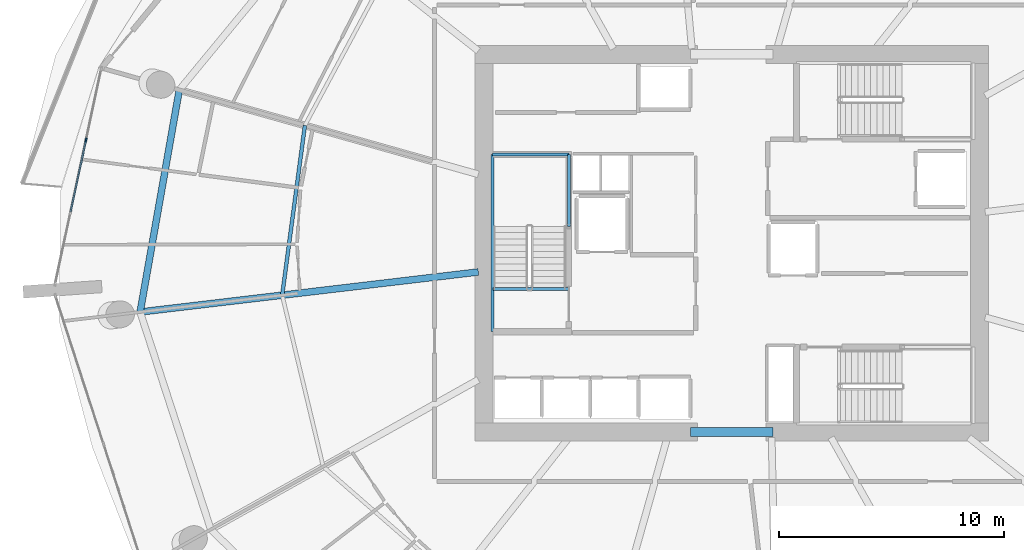
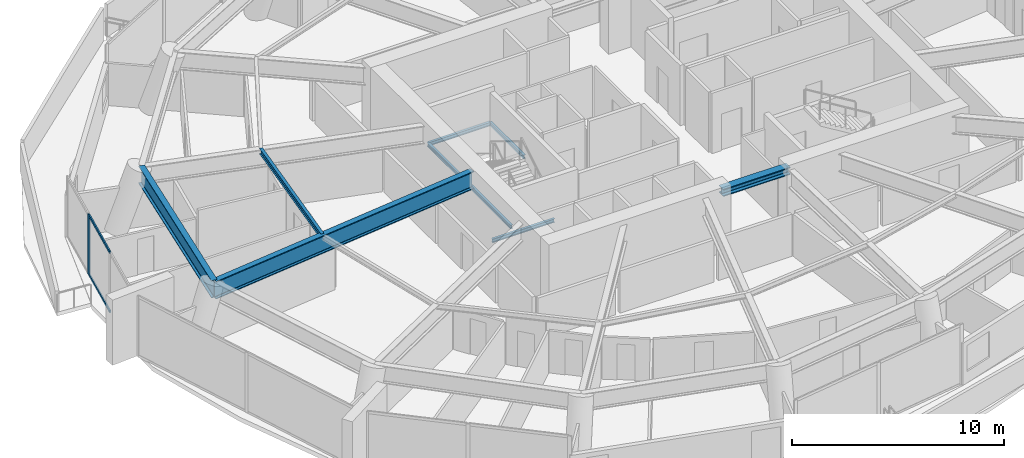
# One storey, part 6 of 23: 8 beams, 3 members, 1 element without a shape of its own.
"""IFC4 building model written with IfcOpenShell, lengths in metres."""

from ifc_helpers import new_model, si_unit, direction, frame, origin, origin_2d, place, context, subcontext, project, spatial, rectangle, i_section, extrude, material, layer, layer_set, material_profile, profile_set, type_object, element, aggregate, save


model = new_model("IFC4")

# Units and contexts
model_context = context("Model", 3, precision=1e-05, world=origin(), true_north=direction((0.0, 1.0)))
body_context = subcontext(model_context, "Body", "Model", "MODEL_VIEW")
ifc_project = project(units=[si_unit("LENGTHUNIT", "METRE"), si_unit("AREAUNIT", "SQUARE_METRE"), si_unit("VOLUMEUNIT", "CUBIC_METRE"), si_unit("PLANEANGLEUNIT", "RADIAN"), si_unit("MASSUNIT", "GRAM", prefix="KILO")], contexts=[model_context])

# Site, building, storey
site_placement = place(None, origin())
site = spatial("IfcSite", under=ifc_project, at=site_placement, CompositionType="ELEMENT")
building_placement = place(site_placement, origin())
building = spatial("IfcBuilding", under=site, at=building_placement, Name="Kazma Halo Residences", CompositionType="ELEMENT")
storey_placement = place(building_placement, frame((0.0, 0.0, 112.64990234375)))
storey = spatial("IfcBuildingStorey", under=building, at=storey_placement, Name="L28", CompositionType="ELEMENT", Elevation=112.64990234375)

# Beams
ifc_material_1 = material(Name="Steel S355", Category="steel")
ifc_material_profile_1 = material_profile(ifc_material_1, i_section(OverallWidth=0.408935546875, OverallDepth=0.425048828125, WebThickness=0.03271484375, FlangeThickness=0.052490234375, FilletRadius=0.02001953125, at=origin_2d()), Name="W360x421")
ifc_profile_set_1 = profile_set([ifc_material_profile_1], Name="Steel S355")
beam_type_1 = type_object("IfcBeamType", Name="BM-CORE-W360H", PredefinedType="BEAM", material=ifc_profile_set_1)
beam_1_placement = place(storey_placement, frame((46.60009765625, 33.60009765625, 3.257568359375), z_axis=(1.0, 0.0, 0.0), x_axis=(0.0, 1.0, 0.0)))
element("IfcBeam", 1, at=beam_1_placement, inside=storey, type_object=beam_type_1, Name="L28 core coupling beam S", PredefinedType="BEAM", context=body_context, shape_type="SweptSolid", body=[
    extrude(i_section(OverallWidth=0.408935546875, OverallDepth=0.425048828125, WebThickness=0.03271484375, FlangeThickness=0.052490234375, FilletRadius=0.02001953125, at=origin_2d()), origin(), (0.0, 0.0, 1.0), 3.64990234375),
])
ifc_material_profile_2 = material_profile(ifc_material_1, i_section(OverallWidth=0.1650390625, OverallDepth=0.31005859375, WebThickness=0.005859375, FlangeThickness=0.009765625, FilletRadius=0.011962890625, at=origin_2d()), Name="W310x38.7")
ifc_profile_set_2 = profile_set([ifc_material_profile_2], Name="Steel S355")
beam_type_2 = type_object("IfcBeamType", Name="BM-SEC-W310B", PredefinedType="JOIST", material=ifc_profile_set_2)
beam_2_placement = place(storey_placement, frame((29.432861328125, 47.236328125, 3.315185546875), z_axis=(-0.132566612337, -0.991174098377, 0.0), x_axis=(0.991174098377, -0.132566612337, 0.0)))
element("IfcBeam", 2, at=beam_2_placement, inside=storey, type_object=beam_type_2, Name="L28 circumferential floor joist 07", PredefinedType="JOIST", context=body_context, shape_type="SweptSolid", body=[
    extrude(i_section(OverallWidth=0.1650390625, OverallDepth=0.31005859375, WebThickness=0.005859375, FlangeThickness=0.009765625, FilletRadius=0.011962890625, at=origin_2d()), origin(), (0.0, 0.0, 1.0), 7.62060546875),
])
ifc_material_profile_3 = material_profile(ifc_material_1, i_section(OverallWidth=0.302001953125, OverallDepth=1.01806640625, WebThickness=0.021484375, FlangeThickness=0.049072265625, FilletRadius=0.028076171875, at=origin_2d()), Name="W1000x443")
ifc_profile_set_3 = profile_set([ifc_material_profile_3], Name="Steel S355")
beam_type_3 = type_object("IfcBeamType", Name="BM-TRANS-W1000A", PredefinedType="BEAM", material=ifc_profile_set_3)
beam_3_placement = place(storey_placement, frame((37.14990234375, 40.7158203125, 2.961181640625), z_axis=(-0.993067979746, -0.117541429303, 0.0), x_axis=(0.117541429303, -0.993067979746, 0.0)))
element("IfcBeam", 3, at=beam_3_placement, inside=storey, type_object=beam_type_3, Name="L28 podium radial transfer girder 08", PredefinedType="BEAM", context=body_context, shape_type="SweptSolid", body=[
    extrude(i_section(OverallWidth=0.302001953125, OverallDepth=1.01806640625, WebThickness=0.021484375, FlangeThickness=0.049072265625, FilletRadius=0.028076171875, at=origin_2d()), origin(), (0.0, 0.0, 1.0), 15.152099609375),
])
ifc_material_profile_4 = material_profile(ifc_material_1, i_section(OverallWidth=0.300048828125, OverallDepth=1.0, WebThickness=0.01904296875, FlangeThickness=0.0400390625, FilletRadius=0.02587890625, at=origin_2d()), Name="W1000x371")
ifc_profile_set_4 = profile_set([ifc_material_profile_4], Name="Steel S355")
beam_type_4 = type_object("IfcBeamType", Name="BM-TRANS-W1000B", PredefinedType="BEAM", material=ifc_profile_set_4)
beam_4_placement = place(storey_placement, frame((23.844482421875, 48.8125, 2.97021484375), z_axis=(-0.1736478634, -0.984807808426, 0.0), x_axis=(0.984807808426, -0.1736478634, 0.0)))
element("IfcBeam", 4, at=beam_4_placement, inside=storey, type_object=beam_type_4, Name="L28 perimeter ring beam 07", PredefinedType="BEAM", context=body_context, shape_type="SweptSolid", body=[
    extrude(i_section(OverallWidth=0.300048828125, OverallDepth=1.0, WebThickness=0.01904296875, FlangeThickness=0.0400390625, FilletRadius=0.02587890625, at=origin_2d()), origin(), (0.0, 0.0, 1.0), 10.030029296875),
])
ifc_material_profile_5 = material_profile(ifc_material_1, i_section(OverallWidth=0.133056640625, OverallDepth=0.20703125, WebThickness=0.005859375, FlangeThickness=0.00830078125, FilletRadius=0.010009765625, at=origin_2d()), Name="W200x26.6")
ifc_profile_set_5 = profile_set([ifc_material_profile_5], Name="Steel S355")
beam_type_5 = type_object("IfcBeamType", Name="BM-TRIM-W200", PredefinedType="BEAM", material=ifc_profile_set_5)
beam_5_placement = place(storey_placement, frame((37.800048828125, 39.949951171875, -0.35986328125), z_axis=(1.0, 0.0, 0.0), x_axis=(0.0, 1.0, 0.0)))
element("IfcBeam", 5, at=beam_5_placement, inside=storey, type_object=beam_type_5, Name="L28 ST-01 floor landing support beam", PredefinedType="BEAM", context=body_context, shape_type="SweptSolid", body=[
    extrude(i_section(OverallWidth=0.133056640625, OverallDepth=0.20703125, WebThickness=0.005859375, FlangeThickness=0.00830078125, FilletRadius=0.010009765625, at=origin_2d()), origin(), (0.0, 0.0, 1.0), 3.3798828125),
])
beam_6_placement = place(storey_placement, frame((37.780029296875, 38.06005859375, 1.570068359375), z_axis=(0.0, 1.0, 0.0), x_axis=(-1.0, 0.0, 0.0)))
element("IfcBeam", 6, at=beam_6_placement, inside=storey, type_object=beam_type_5, Name="L28 ST-01 landing west wall ledger", PredefinedType="BEAM", context=body_context, shape_type="SweptSolid", body=[
    extrude(i_section(OverallWidth=0.133056640625, OverallDepth=0.20703125, WebThickness=0.005859375, FlangeThickness=0.00830078125, FilletRadius=0.010009765625, at=origin_2d()), origin(), (0.0, 0.0, 1.0), 7.8798828125),
])
beam_7_placement = place(storey_placement, frame((41.179931640625, 42.75, 1.570068359375), z_axis=(0.0, 1.0, 0.0), x_axis=(-1.0, 0.0, 0.0)))
element("IfcBeam", 7, at=beam_7_placement, inside=storey, type_object=beam_type_5, Name="L28 ST-01 landing east wall ledger", PredefinedType="BEAM", context=body_context, shape_type="SweptSolid", body=[
    extrude(i_section(OverallWidth=0.133056640625, OverallDepth=0.20703125, WebThickness=0.005859375, FlangeThickness=0.00830078125, FilletRadius=0.010009765625, at=origin_2d()), origin(), (0.0, 0.0, 1.0), 3.18994140625),
])
beam_8_placement = place(storey_placement, frame((37.780029296875, 45.93994140625, 1.570068359375), z_axis=(1.0, 0.0, 0.0), x_axis=(0.0, 1.0, 0.0)))
element("IfcBeam", 8, at=beam_8_placement, inside=storey, type_object=beam_type_5, Name="L28 ST-01 landing end wall ledger", PredefinedType="BEAM", context=body_context, shape_type="SweptSolid", body=[
    extrude(i_section(OverallWidth=0.133056640625, OverallDepth=0.20703125, WebThickness=0.005859375, FlangeThickness=0.00830078125, FilletRadius=0.010009765625, at=origin_2d()), origin(), (0.0, 0.0, 1.0), 3.39990234375),
])

# Curtain wall, members
ifc_material_2 = material(Name="Aluminium AW-6063 T6 and Triple-Silver Low-E Glass", Category="aluminium")
ifc_layer = layer(ifc_material_2, 0.199951171875)
ifc_layer_set = layer_set([ifc_layer], Name="Aluminium AW-6063 T6 and Triple-Silver Low-E Glass")
curtain_wall_type = type_object("IfcCurtainWallType", Name="CW-SYS-3", PredefinedType="NOTDEFINED", material=ifc_layer_set)
curtain_wall_placement = place(storey_placement, origin())
curtain_wall = element("IfcCurtainWall", 9, at=curtain_wall_placement, inside=storey, type_object=curtain_wall_type, Name="L28 unitised curtain wall B07", PredefinedType="NOTDEFINED")
ifc_material_3 = material(Name="Aluminium AW-6063 T6", Category="aluminium")
ifc_material_profile_6 = material_profile(ifc_material_3, rectangle(XDim=0.070068359375, YDim=0.199951171875, at=origin_2d()), Name="CWM-70x200")
ifc_profile_set_6 = profile_set([ifc_material_profile_6], Name="Aluminium AW-6063 T6")
member_type_1 = type_object("IfcMemberType", Name="CW-SYS-3-MUL", PredefinedType="MULLION", material=ifc_profile_set_6)
member_1_placement = place(storey_placement, frame((19.69287109375, 46.5791015625, 0.0), z_axis=(0.0, 0.0, 1.0), x_axis=(0.977774176093, -0.209660822677, 0.0)))
member_1 = element("IfcMember", 10, at=member_1_placement, type_object=member_type_1, Name="CWS-3 mullion 2", PredefinedType="MULLION", context=body_context, shape_type="SweptSolid", body=[
    extrude(rectangle(XDim=0.070068359375, YDim=0.199951171875, at=origin_2d()), origin(), (0.0, 0.0, 1.0), 3.47021484375),
])
ifc_material_profile_7 = material_profile(ifc_material_3, rectangle(XDim=0.070068359375, YDim=0.14990234375, at=origin_2d()), Name="CWT-70x150")
ifc_profile_set_7 = profile_set([ifc_material_profile_7], Name="Aluminium AW-6063 T6")
member_type_2 = type_object("IfcMemberType", Name="CW-SYS-3-TRN", PredefinedType="USERDEFINED", material=ifc_profile_set_7)
member_2_placement = place(storey_placement, frame((19.685546875, 46.544921875, 0.03515625), z_axis=(-0.209627675811, -0.977781283076, 0.0), x_axis=(0.977781283076, -0.209627675811, 0.0)))
member_2 = element("IfcMember", 11, at=member_2_placement, type_object=member_type_2, Name="CWS-3 transom 2.1", ObjectType="TRANSOM", PredefinedType="USERDEFINED", context=body_context, shape_type="SweptSolid", body=[
    extrude(rectangle(XDim=0.070068359375, YDim=0.14990234375, at=origin_2d()), origin(), (0.0, 0.0, 1.0), 3.213134765625),
])
member_3_placement = place(storey_placement, frame((19.685546875, 46.544921875, 3.43505859375), z_axis=(-0.209627675811, -0.977781283076, 0.0), x_axis=(0.977781283076, -0.209627675811, 0.0)))
member_3 = element("IfcMember", 12, at=member_3_placement, type_object=member_type_2, Name="CWS-3 transom 2.2", ObjectType="TRANSOM", PredefinedType="USERDEFINED", context=body_context, shape_type="SweptSolid", body=[
    extrude(rectangle(XDim=0.070068359375, YDim=0.14990234375, at=origin_2d()), origin(), (0.0, 0.0, 1.0), 3.213134765625),
])
aggregate(curtain_wall, [member_1, member_2, member_3])

save(model, "model.ifc")
